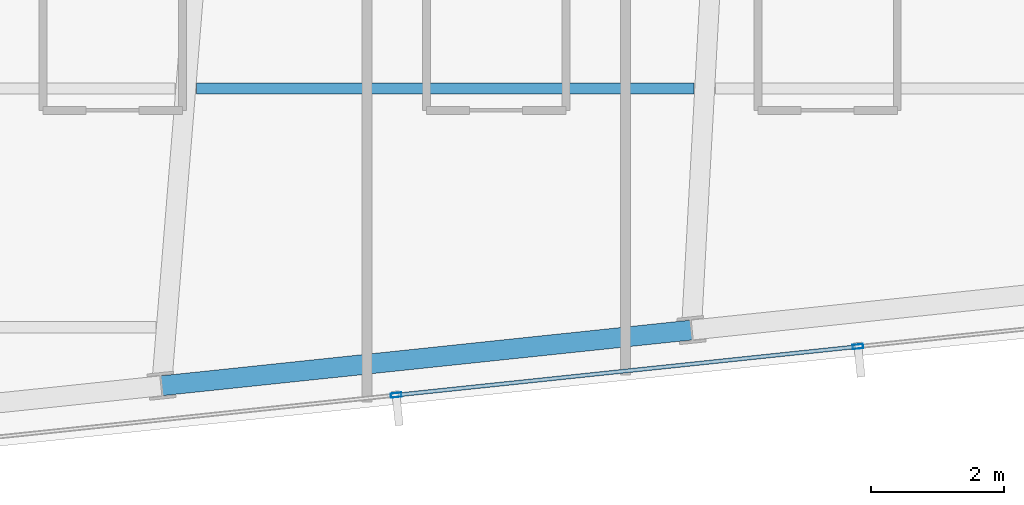
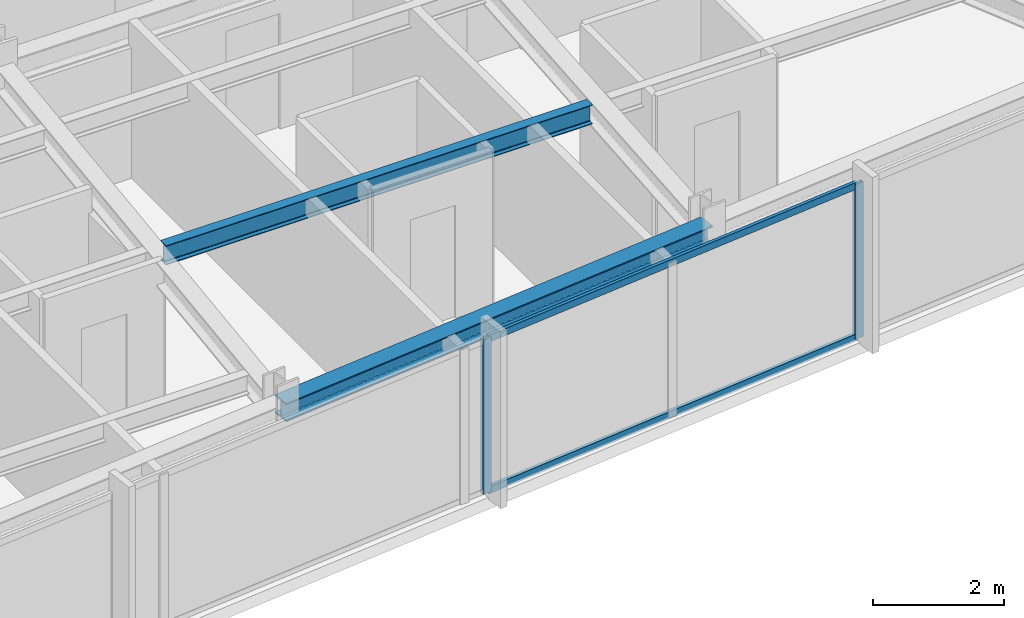
# One storey, part 14 of 33: 4 members, 2 beams, 1 element without a shape of its own.
"""IFC4 building model written with IfcOpenShell, lengths in metres."""

from ifc_helpers import new_model, si_unit, direction, frame, origin, origin_2d, place, context, subcontext, project, spatial, hollow_rectangle, i_section, extrude, material, material_profile, profile_set, type_object, element, aggregate, save


model = new_model("IFC4")

# Units and contexts
model_context = context("Model", 3, precision=1e-05, world=origin(), true_north=direction((0.0, 1.0)))
body_context = subcontext(model_context, "Body", "Model", "MODEL_VIEW")
ifc_project = project(units=[si_unit("LENGTHUNIT", "METRE"), si_unit("AREAUNIT", "SQUARE_METRE"), si_unit("VOLUMEUNIT", "CUBIC_METRE"), si_unit("PLANEANGLEUNIT", "RADIAN"), si_unit("MASSUNIT", "GRAM", prefix="KILO")], contexts=[model_context])

# Site, building, storey
site_placement = place(None, origin())
site = spatial("IfcSite", under=ifc_project, at=site_placement, CompositionType="ELEMENT")
building_placement = place(site_placement, origin())
building = spatial("IfcBuilding", under=site, at=building_placement, Name="Yelkora Congress Tower", CompositionType="ELEMENT")
storey_placement = place(building_placement, frame((0.0, 0.0, 244.10009765625)))
storey = spatial("IfcBuildingStorey", under=building, at=storey_placement, Name="L68", CompositionType="ELEMENT", Elevation=244.10009765625)

# Beams
ifc_material_1 = material(Name="Steel S355J2", Category="steel")
ifc_material_profile_1 = material_profile(ifc_material_1, i_section(OverallWidth=0.169921875, OverallDepth=0.360107421875, WebThickness=0.008056640625, FlangeThickness=0.0126953125, FilletRadius=0.01806640625, at=origin_2d()), Name="IPE 360")
ifc_profile_set_1 = profile_set([ifc_material_profile_1], Name="Steel S355J2")
beam_type_1 = type_object("IfcBeamType", Name="BM-JOIST-IPE360", PredefinedType="JOIST", material=ifc_profile_set_1)
beam_1_placement = place(storey_placement, frame((45.791259765625, 19.678466796875, 2.699951171875), z_axis=(1.0, 0.0, 0.0), x_axis=(0.0, 1.0, 0.0)))
element("IfcBeam", 1, at=beam_1_placement, inside=storey, type_object=beam_type_1, Name="L68 Composite Floor Joist 6", PredefinedType="JOIST", context=body_context, shape_type="SweptSolid", body=[
    extrude(i_section(OverallWidth=0.169921875, OverallDepth=0.360107421875, WebThickness=0.008056640625, FlangeThickness=0.0126953125, FilletRadius=0.01806640625, at=origin_2d()), origin(), (0.0, 0.0, 1.0), 7.505126953125),
])
ifc_material_profile_2 = material_profile(ifc_material_1, i_section(OverallWidth=0.300048828125, OverallDepth=0.340087890625, WebThickness=0.011962890625, FlangeThickness=0.021484375, FilletRadius=0.027099609375, at=origin_2d()), Name="HEB 340")
ifc_profile_set_2 = profile_set([ifc_material_profile_2], Name="Steel S355J2")
beam_type_2 = type_object("IfcBeamType", Name="BM-SPAN-HEB340", PredefinedType="SPANDREL", material=ifc_profile_set_2)
beam_2_placement = place(storey_placement, frame((45.26708984375, 15.197509765625, 2.7099609375), z_axis=(0.994520097542, 0.104545567032, 0.0), x_axis=(-0.104545567032, 0.994520097542, 0.0)))
element("IfcBeam", 2, at=beam_2_placement, inside=storey, type_object=beam_type_2, Name="L68 Perimeter Beam 6", PredefinedType="SPANDREL", context=body_context, shape_type="SweptSolid", body=[
    extrude(i_section(OverallWidth=0.300048828125, OverallDepth=0.340087890625, WebThickness=0.011962890625, FlangeThickness=0.021484375, FilletRadius=0.027099609375, at=origin_2d()), origin(), (0.0, 0.0, 1.0), 8.033203125),
])

# Curtain wall, members
ifc_material_2 = material(Name="Anodised aluminium and insulated glass", Category="aluminium")
curtain_wall_type = type_object("IfcCurtainWallType", Name="CW-SYS-B4", PredefinedType="NOTDEFINED", material=ifc_material_2)
curtain_wall_placement = place(storey_placement, origin())
curtain_wall = element("IfcCurtainWall", 3, at=curtain_wall_placement, inside=storey, type_object=curtain_wall_type, Name="L68 Unitised Curtain Wall 20", PredefinedType="NOTDEFINED")
ifc_material_3 = material(Name="Anodised aluminium 6063-T6", Category="aluminium")
ifc_material_profile_3 = material_profile(ifc_material_3, hollow_rectangle(XDim=0.06494140625, YDim=0.159912109375, WallThickness=0.00390625, at=origin_2d()), Name="ALU 65x160x4")
ifc_profile_set_3 = profile_set([ifc_material_profile_3], Name="Anodised aluminium 6063-T6")
member_type_1 = type_object("IfcMemberType", Name="MEM-ML-B4", PredefinedType="MULLION", material=ifc_profile_set_3)
member_1_placement = place(storey_placement, frame((55.76708984375, 15.788330078125, 0.0), z_axis=(0.0, 0.0, 1.0), x_axis=(0.104526664994, -0.994522084373, 0.0)))
member_1 = element("IfcMember", 4, at=member_1_placement, type_object=member_type_1, Name="CW-B4 mullion 3", PredefinedType="MULLION", context=body_context, shape_type="SweptSolid", body=[
    extrude(hollow_rectangle(XDim=0.06494140625, YDim=0.159912109375, WallThickness=0.00390625, at=origin_2d()), origin(), (0.0, 0.0, 1.0), 2.8798828125),
])
member_2_placement = place(storey_placement, frame((48.802490234375, 15.056396484375, 0.0), z_axis=(0.0, 0.0, 1.0), x_axis=(0.104526664994, -0.994522084373, 0.0)))
member_2 = element("IfcMember", 5, at=member_2_placement, type_object=member_type_1, Name="CW-B4 mullion 4", PredefinedType="MULLION", context=body_context, shape_type="SweptSolid", body=[
    extrude(hollow_rectangle(XDim=0.06494140625, YDim=0.159912109375, WallThickness=0.00390625, at=origin_2d()), origin(), (0.0, 0.0, 1.0), 2.8798828125),
])
ifc_material_profile_4 = material_profile(ifc_material_3, hollow_rectangle(XDim=0.06005859375, YDim=0.1298828125, WallThickness=0.00390625, at=origin_2d()), Name="ALU 60x130x4")
ifc_profile_set_4 = profile_set([ifc_material_profile_4], Name="Anodised aluminium 6063-T6")
member_type_2 = type_object("IfcMemberType", Name="MEM-TR-B4", PredefinedType="USERDEFINED", material=ifc_profile_set_4)
member_3_placement = place(storey_placement, frame((55.73486328125, 15.784912109375, 0.02978515625), z_axis=(-0.99452356298, -0.104512595784, 0.0), x_axis=(0.104512595784, -0.99452356298, 0.0)))
member_3 = element("IfcMember", 6, at=member_3_placement, type_object=member_type_2, Name="CW-B4 transom 3.1", ObjectType="TRANSOM", PredefinedType="USERDEFINED", context=body_context, shape_type="SweptSolid", body=[
    extrude(hollow_rectangle(XDim=0.06005859375, YDim=0.1298828125, WallThickness=0.00390625, at=origin_2d()), origin(), (0.0, 0.0, 1.0), 6.93798828125),
])
member_4_placement = place(storey_placement, frame((55.73486328125, 15.784912109375, 2.849853515625), z_axis=(-0.99452356298, -0.104512595784, 0.0), x_axis=(0.104512595784, -0.99452356298, 0.0)))
member_4 = element("IfcMember", 7, at=member_4_placement, type_object=member_type_2, Name="CW-B4 transom 3.2", ObjectType="TRANSOM", PredefinedType="USERDEFINED", context=body_context, shape_type="SweptSolid", body=[
    extrude(hollow_rectangle(XDim=0.06005859375, YDim=0.1298828125, WallThickness=0.00390625, at=origin_2d()), origin(), (0.0, 0.0, 1.0), 6.93798828125),
])
aggregate(curtain_wall, [member_1, member_2, member_3, member_4])

save(model, "model.ifc")
